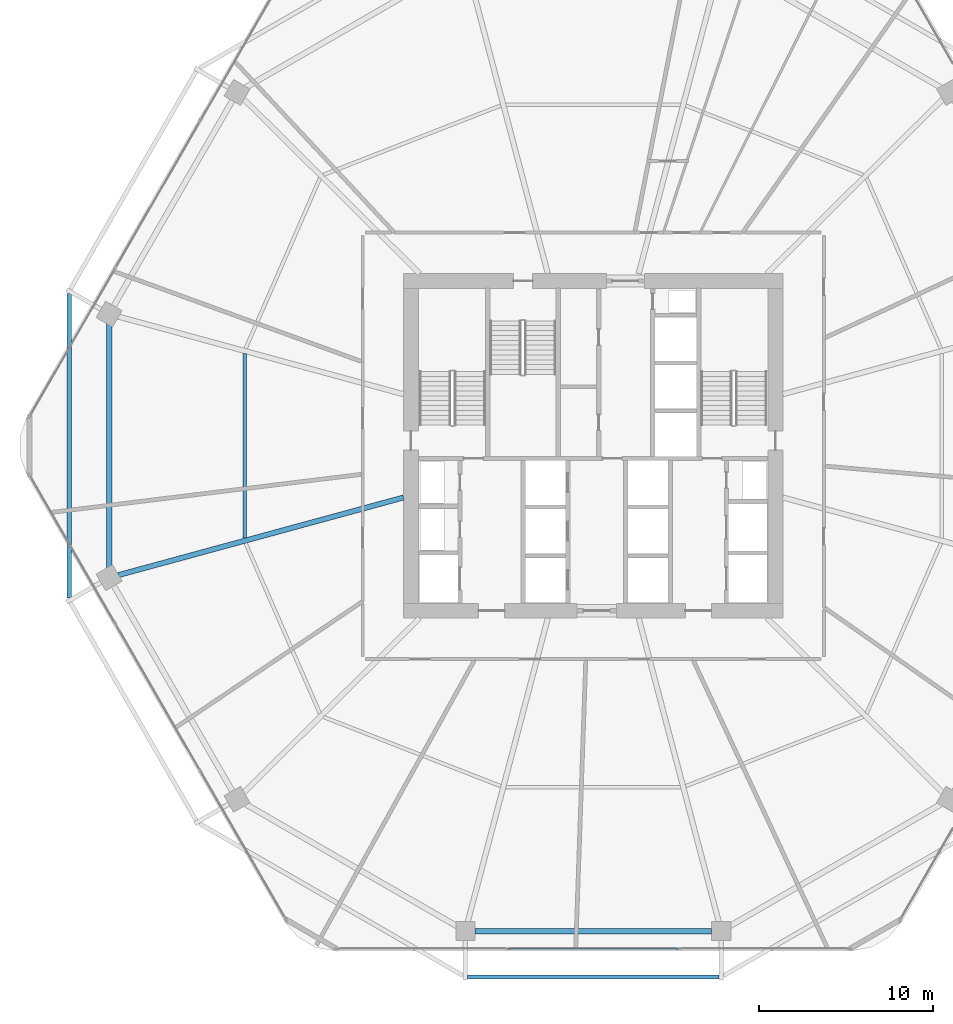
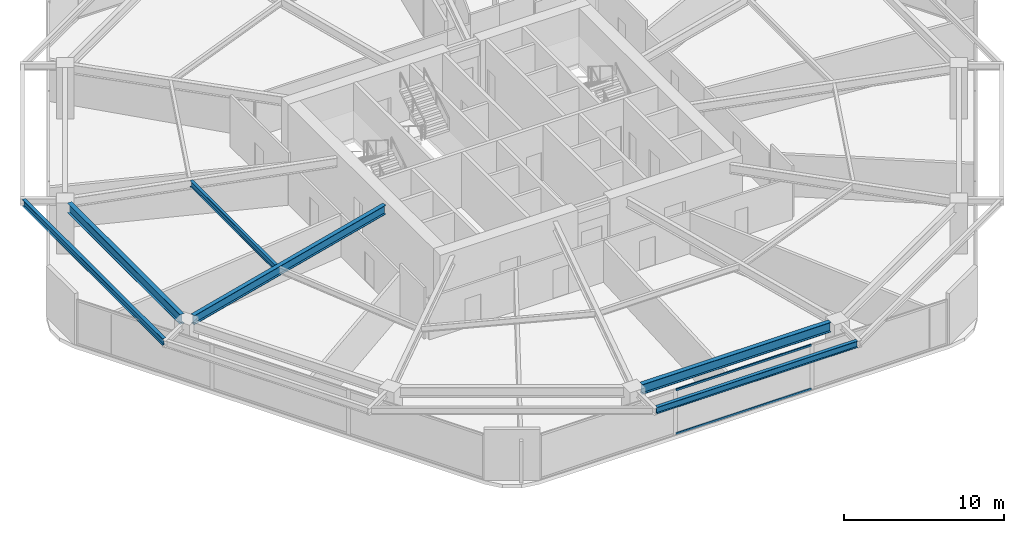
# One storey, part 6 of 28: 6 beams, 2 members, 1 element without a shape of its own.
"""IFC4 building model written with IfcOpenShell, lengths in metres."""

from ifc_helpers import new_model, si_unit, direction, frame, origin, origin_2d, place, context, subcontext, project, spatial, hollow_rectangle, i_section, extrude, material, material_profile, profile_set, type_object, element, aggregate, save


model = new_model("IFC4")

# Units and contexts
model_context = context("Model", 3, precision=1e-05, world=origin(), true_north=direction((0.0, 1.0)))
body_context = subcontext(model_context, "Body", "Model", "MODEL_VIEW")
ifc_project = project(units=[si_unit("LENGTHUNIT", "METRE"), si_unit("AREAUNIT", "SQUARE_METRE"), si_unit("VOLUMEUNIT", "CUBIC_METRE"), si_unit("PLANEANGLEUNIT", "RADIAN"), si_unit("MASSUNIT", "GRAM", prefix="KILO")], contexts=[model_context])

# Site, building, storey
site_placement = place(None, origin())
site = spatial("IfcSite", under=ifc_project, at=site_placement, CompositionType="ELEMENT")
building_placement = place(site_placement, origin())
building = spatial("IfcBuilding", under=site, at=building_placement, Name="Zuhravey Tower", CompositionType="ELEMENT")
storey_placement = place(building_placement, frame((0.0, 0.0, 79.199951171875)))
storey = spatial("IfcBuildingStorey", under=building, at=storey_placement, Name="L19", CompositionType="ELEMENT", Elevation=79.199951171875)

# Curtain wall, members
ifc_material_1 = material(Name="Thermally broken anodised aluminium", Category="aluminium")
curtain_wall_type = type_object("IfcCurtainWallType", Name="School Low-E Unitised Curtain Wall CW1", PredefinedType="NOTDEFINED", material=ifc_material_1)
curtain_wall_placement = place(storey_placement, origin())
curtain_wall = element("IfcCurtainWall", 1, at=curtain_wall_placement, inside=storey, type_object=curtain_wall_type, Name="L19 CW1 CW-L19-F5-1", PredefinedType="NOTDEFINED")
ifc_material_2 = material(Name="Anodised aluminium", Category="aluminium")
ifc_material_profile_1 = material_profile(ifc_material_2, hollow_rectangle(XDim=0.090087890625, YDim=0.14990234375, WallThickness=0.0048828125, at=origin_2d()), Name="ALU-RHS-90x150x5")
ifc_profile_set_1 = profile_set([ifc_material_profile_1], Name="Anodised aluminium")
member_type = type_object("IfcMemberType", Name="Curtain-Wall Transom 90x150", PredefinedType="USERDEFINED", material=ifc_profile_set_1)
member_1_placement = place(storey_placement, frame((40.88818359375, 3.04150390625, 0.045166015625), z_axis=(-1.0, 0.0, 0.0), x_axis=(0.0, -1.0, 0.0)))
member_1 = element("IfcMember", 2, at=member_1_placement, type_object=member_type, Name="CW1 transom 2.1", ObjectType="TRANSOM", PredefinedType="USERDEFINED", context=body_context, shape_type="SweptSolid", body=[
    extrude(hollow_rectangle(XDim=0.090087890625, YDim=0.14990234375, WallThickness=0.0048828125, at=origin_2d()), origin(), (0.0, 0.0, 1.0), 9.7763671875),
])
member_2_placement = place(storey_placement, frame((40.88818359375, 3.04150390625, 3.375), z_axis=(-1.0, 0.0, 0.0), x_axis=(0.0, -1.0, 0.0)))
member_2 = element("IfcMember", 3, at=member_2_placement, type_object=member_type, Name="CW1 transom 2.2", ObjectType="TRANSOM", PredefinedType="USERDEFINED", context=body_context, shape_type="SweptSolid", body=[
    extrude(hollow_rectangle(XDim=0.090087890625, YDim=0.14990234375, WallThickness=0.0048828125, at=origin_2d()), origin(), (0.0, 0.0, 1.0), 9.7763671875),
])
aggregate(curtain_wall, [member_1, member_2])

# Beams
ifc_material_3 = material(Name="Steel SM355", Category="steel")
ifc_material_profile_2 = material_profile(ifc_material_3, i_section(OverallWidth=0.320068359375, OverallDepth=0.75, WebThickness=0.013916015625, FlangeThickness=0.02490234375, at=origin_2d()), Name="H-750x320x14x25")
ifc_profile_set_2 = profile_set([ifc_material_profile_2], Name="Steel SM355")
beam_type_1 = type_object("IfcBeamType", Name="Perimeter Ring Beam H750x320", PredefinedType="BEAM", material=ifc_profile_set_2)
beam_1_placement = place(storey_placement, frame((8.11083984375, 39.03857421875, 3.545166015625), z_axis=(0.0, -1.0, 0.0), x_axis=(1.0, 0.0, 0.0)))
element("IfcBeam", 4, at=beam_1_placement, inside=storey, type_object=beam_type_1, Name="L19 PB1 BM-L19-PB-06", PredefinedType="BEAM", context=body_context, shape_type="SweptSolid", body=[
    extrude(i_section(OverallWidth=0.320068359375, OverallDepth=0.75, WebThickness=0.013916015625, FlangeThickness=0.02490234375, at=origin_2d()), origin(), (0.0, 0.0, 1.0), 14.0771484375),
])
beam_2_placement = place(storey_placement, frame((29.18310546875, 4.051513671875, 3.545166015625), z_axis=(1.0, 0.0, 0.0), x_axis=(0.0, 1.0, 0.0)))
element("IfcBeam", 5, at=beam_2_placement, inside=storey, type_object=beam_type_1, Name="L19 PB1 BM-L19-PB-09", PredefinedType="BEAM", context=body_context, shape_type="SweptSolid", body=[
    extrude(i_section(OverallWidth=0.320068359375, OverallDepth=0.75, WebThickness=0.013916015625, FlangeThickness=0.02490234375, at=origin_2d()), origin(), (0.0, 0.0, 1.0), 13.6337890625),
])
ifc_material_profile_3 = material_profile(ifc_material_3, i_section(OverallWidth=0.300048828125, OverallDepth=0.699951171875, WebThickness=0.012939453125, FlangeThickness=0.02392578125, at=origin_2d()), Name="H-700x300x13x24")
ifc_profile_set_3 = profile_set([ifc_material_profile_3], Name="Steel SM355")
beam_type_2 = type_object("IfcBeamType", Name="Radial Primary Girder H700x300", PredefinedType="BEAM", material=ifc_profile_set_3)
beam_3_placement = place(storey_placement, frame((25.072021484375, 29.025390625, 3.570068359375), z_axis=(-0.964891112932, -0.262650224032, 0.0), x_axis=(0.262650224032, -0.964891112932, 0.0)))
element("IfcBeam", 6, at=beam_3_placement, inside=storey, type_object=beam_type_2, Name="L19 RG1 BM-L19-RAD-07", PredefinedType="BEAM", context=body_context, shape_type="SweptSolid", body=[
    extrude(i_section(OverallWidth=0.300048828125, OverallDepth=0.699951171875, WebThickness=0.012939453125, FlangeThickness=0.02392578125, at=origin_2d()), origin(), (0.0, 0.0, 1.0), 17.025146484375),
])
ifc_material_profile_4 = material_profile(ifc_material_3, i_section(OverallWidth=0.199951171875, OverallDepth=0.449951171875, WebThickness=0.009033203125, FlangeThickness=0.013916015625, at=origin_2d()), Name="H-450x200x9x14")
ifc_profile_set_4 = profile_set([ifc_material_profile_4], Name="Steel SM355")
beam_type_3 = type_object("IfcBeamType", Name="Secondary Floor Joist H450x200", PredefinedType="JOIST", material=ifc_profile_set_4)
beam_4_placement = place(storey_placement, frame((15.9130859375, 37.313720703125, 3.695068359375), z_axis=(0.0, -1.0, 0.0), x_axis=(1.0, 0.0, 0.0)))
element("IfcBeam", 7, at=beam_4_placement, inside=storey, type_object=beam_type_3, Name="L19 SJ1 BM-L19-SJ-06-1", PredefinedType="JOIST", context=body_context, shape_type="SweptSolid", body=[
    extrude(i_section(OverallWidth=0.199951171875, OverallDepth=0.449951171875, WebThickness=0.009033203125, FlangeThickness=0.013916015625, at=origin_2d()), origin(), (0.0, 0.0, 1.0), 10.62744140625),
])
ifc_material_profile_5 = material_profile(ifc_material_3, i_section(OverallWidth=0.25, OverallDepth=0.5, WebThickness=0.010009765625, FlangeThickness=0.01611328125, at=origin_2d()), Name="H-500x250x10x16")
ifc_profile_set_5 = profile_set([ifc_material_profile_5], Name="Steel SM355")
beam_type_4 = type_object("IfcBeamType", Name="Tray Cantilever Spandrel H500x250", PredefinedType="SPANDREL", material=ifc_profile_set_5)
beam_5_placement = place(storey_placement, frame((5.81591796875, 40.776611328125, 3.670166015625), z_axis=(0.0, -1.0, 0.0), x_axis=(1.0, 0.0, 0.0)))
element("IfcBeam", 8, at=beam_5_placement, inside=storey, type_object=beam_type_4, Name="L19 Sky-Tray Edge Spandrel TSB1-06", PredefinedType="SPANDREL", context=body_context, shape_type="SweptSolid", body=[
    extrude(i_section(OverallWidth=0.25, OverallDepth=0.5, WebThickness=0.010009765625, FlangeThickness=0.01611328125, at=origin_2d()), origin(), (0.0, 0.0, 1.0), 17.55322265625),
])
beam_6_placement = place(storey_placement, frame((28.7529296875, 1.401611328125, 3.670166015625), z_axis=(1.0, 0.0, 0.0), x_axis=(0.0, 1.0, 0.0)))
element("IfcBeam", 9, at=beam_6_placement, inside=storey, type_object=beam_type_4, Name="L19 Sky-Tray Edge Spandrel TSB1-09", PredefinedType="SPANDREL", context=body_context, shape_type="SweptSolid", body=[
    extrude(i_section(OverallWidth=0.25, OverallDepth=0.5, WebThickness=0.010009765625, FlangeThickness=0.01611328125, at=origin_2d()), origin(), (0.0, 0.0, 1.0), 14.494140625),
])

save(model, "model.ifc")
